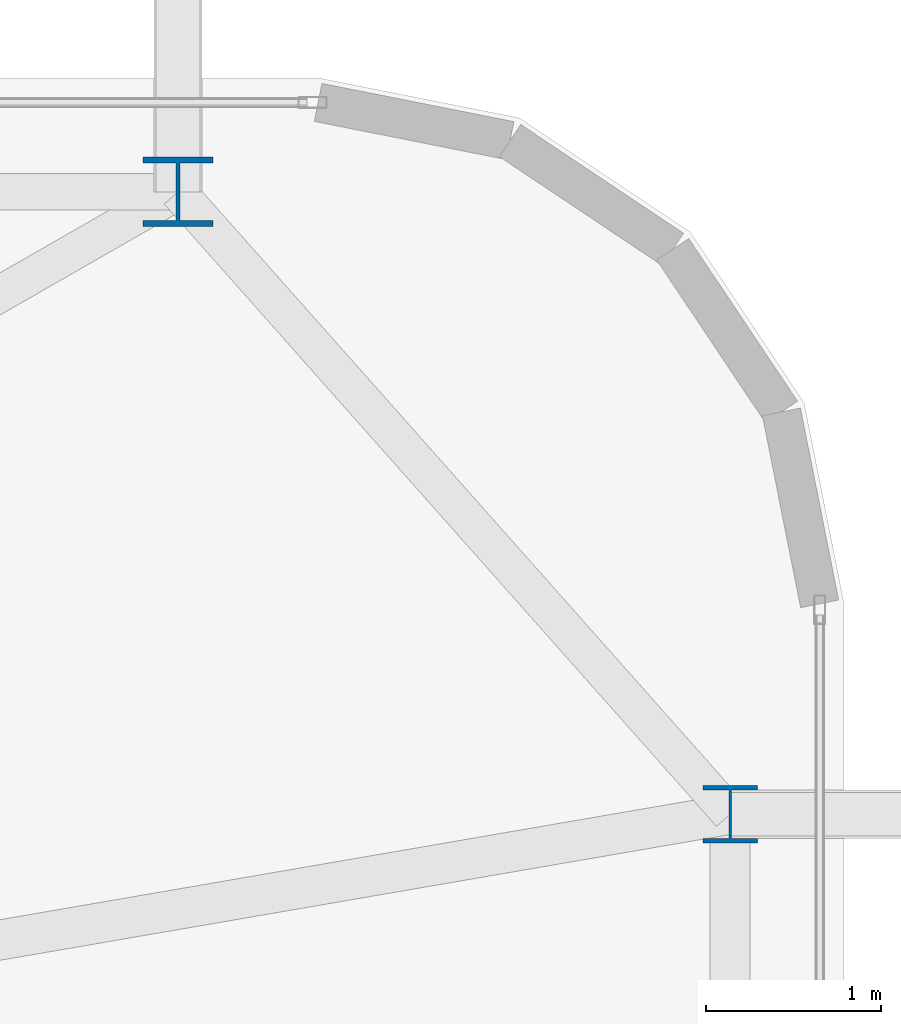
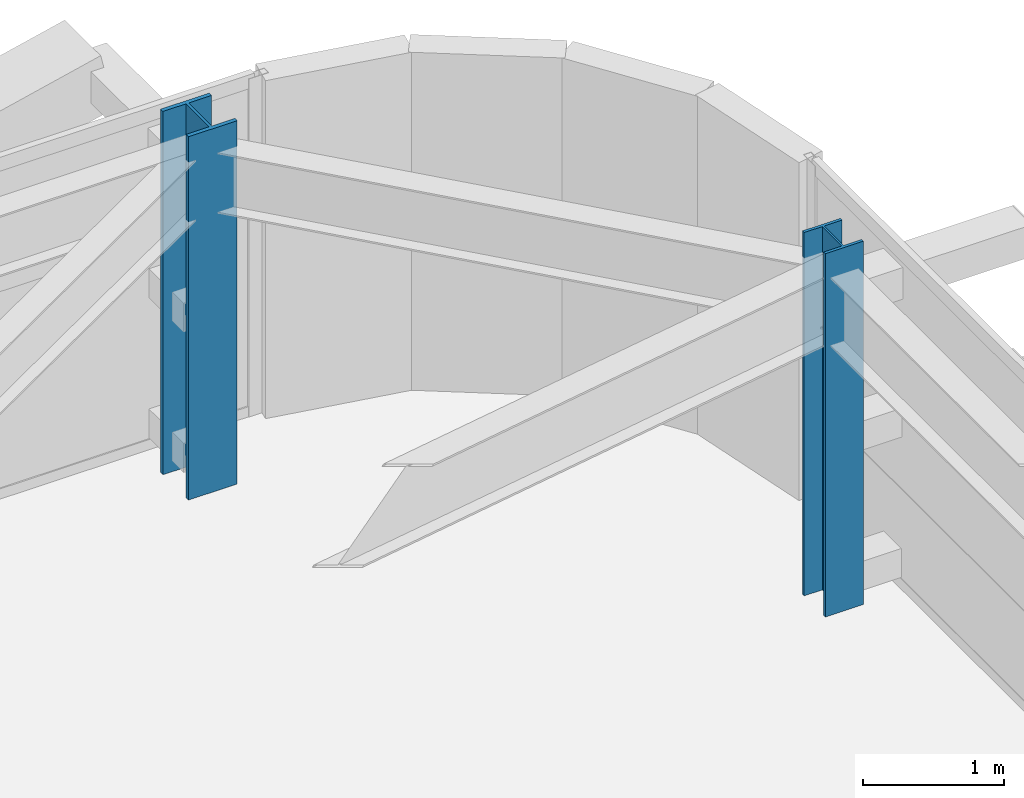
# One storey, part 4 of 59: 2 columns.
"""IFC4 building model written with IfcOpenShell, lengths in metres."""

from ifc_helpers import new_model, si_unit, direction, frame, origin, origin_2d, place, context, subcontext, project, spatial, i_section, extrude, source, transform, mapped, material, material_profile, profile_set, type_object, element, save


model = new_model("IFC4")

# Units and contexts
model_context = context("Model", 3, precision=1e-05, world=origin(), true_north=direction((0.0, 1.0)))
body_context = subcontext(model_context, "Body", "Model", "MODEL_VIEW")
ifc_project = project(units=[si_unit("LENGTHUNIT", "METRE"), si_unit("AREAUNIT", "SQUARE_METRE"), si_unit("VOLUMEUNIT", "CUBIC_METRE"), si_unit("PLANEANGLEUNIT", "RADIAN"), si_unit("MASSUNIT", "GRAM", prefix="KILO")], contexts=[model_context])

# Site, building, storey
site_placement = place(None, origin())
site = spatial("IfcSite", under=ifc_project, at=site_placement, CompositionType="ELEMENT")
building_placement = place(site_placement, origin())
building = spatial("IfcBuilding", under=site, at=building_placement, Name="Taldren Reach Tower", CompositionType="ELEMENT")
storey_placement = place(building_placement, frame((0.0, 0.0, 29.39990234375)))
storey = spatial("IfcBuildingStorey", under=building, at=storey_placement, Name="L08", CompositionType="ELEMENT", Elevation=29.39990234375)

# Columns
ifc_material = material(Name="Steel Gr 350 (350PLUS)", Category="steel")
ifc_material_profile_1 = material_profile(ifc_material, i_section(OverallWidth=0.39990234375, OverallDepth=0.39599609375, WebThickness=0.02197265625, FlangeThickness=0.033935546875, at=origin_2d()), Name="400WC270")
ifc_profile_set_1 = profile_set([ifc_material_profile_1], Name="Steel Gr 350 (350PLUS)")
column_type_1 = type_object("IfcColumnType", Name="COL-WC400", PredefinedType="COLUMN", material=ifc_profile_set_1)
shared_shape_1 = source(origin(), body_context, "Body", "SweptSolid", [
    extrude(i_section(OverallWidth=0.39990234375, OverallDepth=0.39599609375, WebThickness=0.02197265625, FlangeThickness=0.033935546875, at=origin_2d()), origin(), (0.0, 0.0, 1.0), 3.150146484375),
])
column_1_placement = place(storey_placement, frame((61.199951171875, 37.85009765625, 0.0), z_axis=(0.0, 0.0, 1.0), x_axis=(1.0, 0.0, 0.0)))
element("IfcColumn", 1, at=column_1_placement, inside=storey, type_object=column_type_1, Name="Block B1 perimeter column N6 L08", PredefinedType="COLUMN", context=body_context, shape_type="MappedRepresentation", body=[
    mapped(shared_shape_1, transform((0.0, 0.0, 0.0), scale=1.0)),
])
ifc_material_profile_2 = material_profile(ifc_material, i_section(OverallWidth=0.31103515625, OverallDepth=0.326904296875, WebThickness=0.015625, FlangeThickness=0.02490234375, at=origin_2d()), Name="310UC158")
ifc_profile_set_2 = profile_set([ifc_material_profile_2], Name="Steel Gr 350 (350PLUS)")
column_type_2 = type_object("IfcColumnType", Name="COL-UC310A", PredefinedType="COLUMN", material=ifc_profile_set_2)
shared_shape_2 = source(origin(), body_context, "Body", "SweptSolid", [
    extrude(i_section(OverallWidth=0.31103515625, OverallDepth=0.326904296875, WebThickness=0.015625, FlangeThickness=0.02490234375, at=origin_2d()), origin(), (0.0, 0.0, 1.0), 3.150146484375),
])
column_2_placement = place(storey_placement, frame((64.35009765625, 34.300048828125, 0.0), z_axis=(0.0, 0.0, 1.0), x_axis=(1.0, 0.0, 0.0)))
element("IfcColumn", 2, at=column_2_placement, inside=storey, type_object=column_type_2, Name="Block B1 perimeter column E3 L08", PredefinedType="COLUMN", context=body_context, shape_type="MappedRepresentation", body=[
    mapped(shared_shape_2, transform((0.0, 0.0, 0.0), scale=1.0)),
])

save(model, "model.ifc")
